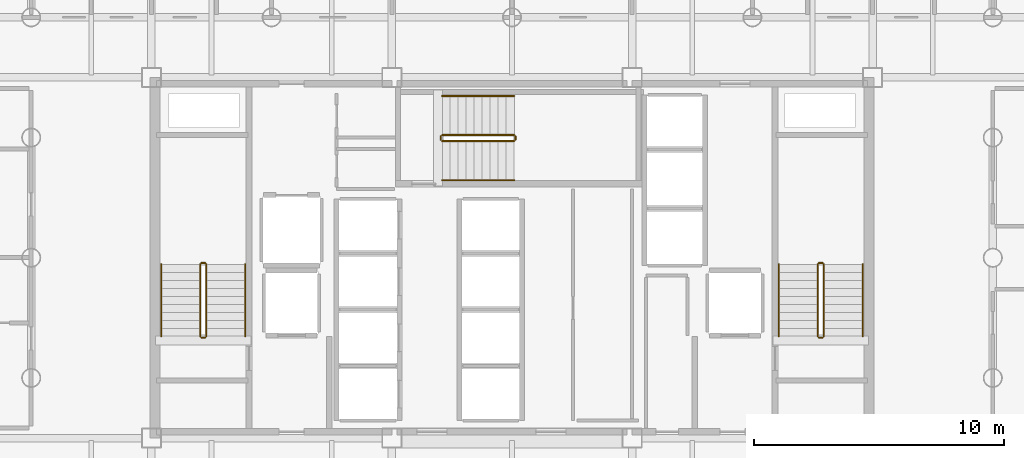
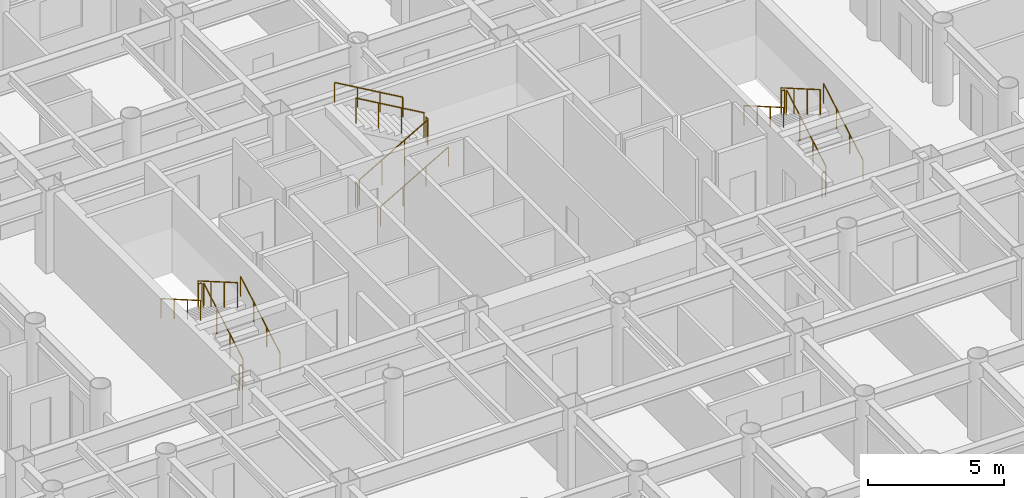
# One storey, part 20 of 20: 18 railings.
"""IFC4 building model written with IfcOpenShell, lengths in metres."""

from ifc_helpers import new_model, si_unit, direction, frame, origin, origin_2d, place, context, subcontext, project, spatial, circle, extrude, material, layer, layer_set, type_object, element, save


model = new_model("IFC4")

# Units and contexts
model_context = context("Model", 3, precision=1e-05, world=origin(), true_north=direction((0.0, 1.0)))
body_context = subcontext(model_context, "Body", "Model", "MODEL_VIEW")
ifc_project = project(units=[si_unit("LENGTHUNIT", "METRE"), si_unit("AREAUNIT", "SQUARE_METRE"), si_unit("VOLUMEUNIT", "CUBIC_METRE"), si_unit("PLANEANGLEUNIT", "RADIAN"), si_unit("MASSUNIT", "GRAM", prefix="KILO")], contexts=[model_context])

# Site, building, storey
site_placement = place(None, origin())
site = spatial("IfcSite", under=ifc_project, at=site_placement, CompositionType="ELEMENT")
building_placement = place(site_placement, origin())
building = spatial("IfcBuilding", under=site, at=building_placement, Name="Kallvorn Hotel Tower", CompositionType="ELEMENT")
storey_placement = place(building_placement, frame((0.0, 0.0, 74.39990234375)))
storey = spatial("IfcBuildingStorey", under=building, at=storey_placement, Name="L17", CompositionType="ELEMENT", Elevation=74.39990234375)

# Railings
ifc_material_1 = material(Name="Brushed stainless-steel tubular railing", Category="steel")
ifc_layer_1 = layer(ifc_material_1, 0.050048828125)
ifc_layer_set_1 = layer_set([ifc_layer_1], Name="RL_STAIR_GUARD")
railing_type_1 = type_object("IfcRailingType", Name="RL_STAIR_GUARD", PredefinedType="GUARDRAIL", material=ifc_layer_set_1)
railing_1_placement = place(storey_placement, frame((-12.2099609375, -3.139892578125, 0.18505859375)))
element("IfcRailing", 1, at=railing_1_placement, inside=storey, type_object=railing_type_1, Name="L17 ST1 stair guard 1", PredefinedType="GUARDRAIL", context=body_context, shape_type="SweptSolid", body=[
    extrude(circle(Radius=0.02392578125, at=origin_2d()), frame((0.0, 0.0, 1.1259765625), z_axis=(0.0, 0.865720918037, 0.500527014328), x_axis=(-1.0, 0.0, 0.0)), (0.0, 0.0, 1.0), 3.32666015625),
    extrude(circle(Radius=0.02099609375, at=origin_2d()), origin(), (0.0, 0.0, 1.0), 1.101806640625),
    extrude(circle(Radius=0.02099609375, at=origin_2d()), frame((0.0, 0.9599609375, 0.554931640625)), (0.0, 0.0, 1.0), 1.101806640625),
    extrude(circle(Radius=0.02099609375, at=origin_2d()), frame((0.0, 1.919921875, 1.110107421875)), (0.0, 0.0, 1.0), 1.101806640625),
    extrude(circle(Radius=0.02099609375, at=origin_2d()), frame((0.0, 2.8798828125, 1.6650390625)), (0.0, 0.0, 1.0), 1.101806640625),
])
railing_2_placement = place(storey_placement, frame((-12.260009765625, -0.2099609375, 1.85009765625)))
element("IfcRailing", 2, at=railing_2_placement, inside=storey, type_object=railing_type_1, Name="L17 ST1 stair guard 2", PredefinedType="GUARDRAIL", context=body_context, shape_type="SweptSolid", body=[
    extrude(circle(Radius=0.02392578125, at=origin_2d()), frame((0.0, 0.0, 1.1259765625), z_axis=(-1.0, 0.0, 0.0), x_axis=(0.0, -1.0, 0.0)), (0.0, 0.0, 1.0), 0.139892578125),
    extrude(circle(Radius=0.02099609375, at=origin_2d()), origin(), (0.0, 0.0, 1.0), 1.101806640625),
    extrude(circle(Radius=0.02099609375, at=origin_2d()), frame((-0.139892578125, 0.0, 0.0)), (0.0, 0.0, 1.0), 1.101806640625),
])
railing_3_placement = place(storey_placement, frame((-12.449951171875, -0.260009765625, 2.03515625)))
element("IfcRailing", 3, at=railing_3_placement, inside=storey, type_object=railing_type_1, Name="L17 ST1 stair guard 3", PredefinedType="GUARDRAIL", context=body_context, shape_type="SweptSolid", body=[
    extrude(circle(Radius=0.02392578125, at=origin_2d()), frame((0.0, 0.0, 1.1259765625), z_axis=(0.0, -0.865720918037, 0.500527014328), x_axis=(1.0, 0.0, 0.0)), (0.0, 0.0, 1.0), 3.32666015625),
    extrude(circle(Radius=0.02099609375, at=origin_2d()), origin(), (0.0, 0.0, 1.0), 1.101806640625),
    extrude(circle(Radius=0.02099609375, at=origin_2d()), frame((0.0, -0.9599609375, 0.554931640625)), (0.0, 0.0, 1.0), 1.101806640625),
    extrude(circle(Radius=0.02099609375, at=origin_2d()), frame((0.0, -1.919921875, 1.110107421875)), (0.0, 0.0, 1.0), 1.101806640625),
    extrude(circle(Radius=0.02099609375, at=origin_2d()), frame((0.0, -2.8798828125, 1.6650390625)), (0.0, 0.0, 1.0), 1.101806640625),
])
railing_4_placement = place(storey_placement, frame((-12.260009765625, -3.18994140625, 0.0)))
element("IfcRailing", 4, at=railing_4_placement, inside=storey, type_object=railing_type_1, Name="L17 ST1 stair guard 4", PredefinedType="GUARDRAIL", context=body_context, shape_type="SweptSolid", body=[
    extrude(circle(Radius=0.02392578125, at=origin_2d()), frame((0.0, 0.0, 1.1259765625), z_axis=(-1.0, 0.0, 0.0), x_axis=(0.0, -1.0, 0.0)), (0.0, 0.0, 1.0), 0.139892578125),
    extrude(circle(Radius=0.02099609375, at=origin_2d()), origin(), (0.0, 0.0, 1.0), 1.101806640625),
    extrude(circle(Radius=0.02099609375, at=origin_2d()), frame((-0.139892578125, 0.0, 0.0)), (0.0, 0.0, 1.0), 1.101806640625),
])
railing_5_placement = place(storey_placement, frame((12.449951171875, -3.139892578125, 0.18505859375)))
element("IfcRailing", 5, at=railing_5_placement, inside=storey, type_object=railing_type_1, Name="L17 ST2 stair guard 1", PredefinedType="GUARDRAIL", context=body_context, shape_type="SweptSolid", body=[
    extrude(circle(Radius=0.02392578125, at=origin_2d()), frame((0.0, 0.0, 1.1259765625), z_axis=(0.0, 0.865720918037, 0.500527014328), x_axis=(-1.0, 0.0, 0.0)), (0.0, 0.0, 1.0), 3.32666015625),
    extrude(circle(Radius=0.02099609375, at=origin_2d()), origin(), (0.0, 0.0, 1.0), 1.101806640625),
    extrude(circle(Radius=0.02099609375, at=origin_2d()), frame((0.0, 0.9599609375, 0.554931640625)), (0.0, 0.0, 1.0), 1.101806640625),
    extrude(circle(Radius=0.02099609375, at=origin_2d()), frame((0.0, 1.919921875, 1.110107421875)), (0.0, 0.0, 1.0), 1.101806640625),
    extrude(circle(Radius=0.02099609375, at=origin_2d()), frame((0.0, 2.8798828125, 1.6650390625)), (0.0, 0.0, 1.0), 1.101806640625),
])
railing_6_placement = place(storey_placement, frame((12.39990234375, -0.2099609375, 1.85009765625)))
element("IfcRailing", 6, at=railing_6_placement, inside=storey, type_object=railing_type_1, Name="L17 ST2 stair guard 2", PredefinedType="GUARDRAIL", context=body_context, shape_type="SweptSolid", body=[
    extrude(circle(Radius=0.02392578125, at=origin_2d()), frame((0.0, 0.0, 1.1259765625), z_axis=(-1.0, 0.0, 0.0), x_axis=(0.0, -1.0, 0.0)), (0.0, 0.0, 1.0), 0.139892578125),
    extrude(circle(Radius=0.02099609375, at=origin_2d()), origin(), (0.0, 0.0, 1.0), 1.101806640625),
    extrude(circle(Radius=0.02099609375, at=origin_2d()), frame((-0.139892578125, 0.0, 0.0)), (0.0, 0.0, 1.0), 1.101806640625),
])
railing_7_placement = place(storey_placement, frame((12.2099609375, -0.260009765625, 2.03515625)))
element("IfcRailing", 7, at=railing_7_placement, inside=storey, type_object=railing_type_1, Name="L17 ST2 stair guard 3", PredefinedType="GUARDRAIL", context=body_context, shape_type="SweptSolid", body=[
    extrude(circle(Radius=0.02392578125, at=origin_2d()), frame((0.0, 0.0, 1.1259765625), z_axis=(0.0, -0.865720918037, 0.500527014328), x_axis=(1.0, 0.0, 0.0)), (0.0, 0.0, 1.0), 3.32666015625),
    extrude(circle(Radius=0.02099609375, at=origin_2d()), origin(), (0.0, 0.0, 1.0), 1.101806640625),
    extrude(circle(Radius=0.02099609375, at=origin_2d()), frame((0.0, -0.9599609375, 0.554931640625)), (0.0, 0.0, 1.0), 1.101806640625),
    extrude(circle(Radius=0.02099609375, at=origin_2d()), frame((0.0, -1.919921875, 1.110107421875)), (0.0, 0.0, 1.0), 1.101806640625),
    extrude(circle(Radius=0.02099609375, at=origin_2d()), frame((0.0, -2.8798828125, 1.6650390625)), (0.0, 0.0, 1.0), 1.101806640625),
])
railing_8_placement = place(storey_placement, frame((12.39990234375, -3.18994140625, 0.0)))
element("IfcRailing", 8, at=railing_8_placement, inside=storey, type_object=railing_type_1, Name="L17 ST2 stair guard 4", PredefinedType="GUARDRAIL", context=body_context, shape_type="SweptSolid", body=[
    extrude(circle(Radius=0.02392578125, at=origin_2d()), frame((0.0, 0.0, 1.1259765625), z_axis=(-1.0, 0.0, 0.0), x_axis=(0.0, -1.0, 0.0)), (0.0, 0.0, 1.0), 0.139892578125),
    extrude(circle(Radius=0.02099609375, at=origin_2d()), origin(), (0.0, 0.0, 1.0), 1.101806640625),
    extrude(circle(Radius=0.02099609375, at=origin_2d()), frame((-0.139892578125, 0.0, 0.0)), (0.0, 0.0, 1.0), 1.101806640625),
])
railing_9_placement = place(storey_placement, frame((-2.7900390625, 4.659912109375, 0.18505859375)))
element("IfcRailing", 9, at=railing_9_placement, inside=storey, type_object=railing_type_1, Name="L17 ST3 stair guard 1", PredefinedType="GUARDRAIL", context=body_context, shape_type="SweptSolid", body=[
    extrude(circle(Radius=0.02392578125, at=origin_2d()), frame((0.0, 0.0, 1.1259765625), z_axis=(0.865739302748, 0.0, 0.50049521444), x_axis=(0.0, 1.0, 0.0)), (0.0, 0.0, 1.0), 3.326904296875),
    extrude(circle(Radius=0.02099609375, at=origin_2d()), origin(), (0.0, 0.0, 1.0), 1.101806640625),
    extrude(circle(Radius=0.02099609375, at=origin_2d()), frame((0.9599609375, 0.0, 0.554931640625)), (0.0, 0.0, 1.0), 1.101806640625),
    extrude(circle(Radius=0.02099609375, at=origin_2d()), frame((1.920166015625, 0.0, 1.110107421875)), (0.0, 0.0, 1.0), 1.101806640625),
    extrude(circle(Radius=0.02099609375, at=origin_2d()), frame((2.880126953125, 0.0, 1.6650390625)), (0.0, 0.0, 1.0), 1.101806640625),
])
railing_10_placement = place(storey_placement, frame((0.139892578125, 4.7099609375, 1.85009765625)))
element("IfcRailing", 10, at=railing_10_placement, inside=storey, type_object=railing_type_1, Name="L17 ST3 stair guard 2", PredefinedType="GUARDRAIL", context=body_context, shape_type="SweptSolid", body=[
    extrude(circle(Radius=0.02392578125, at=origin_2d()), frame((0.0, 0.0, 1.1259765625), z_axis=(0.0, 1.0, 0.0), x_axis=(-1.0, 0.0, 0.0)), (0.0, 0.0, 1.0), 0.14013671875),
    extrude(circle(Radius=0.02099609375, at=origin_2d()), origin(), (0.0, 0.0, 1.0), 1.101806640625),
    extrude(circle(Radius=0.02099609375, at=origin_2d()), frame((0.0, 0.14013671875, 0.0)), (0.0, 0.0, 1.0), 1.101806640625),
])
railing_11_placement = place(storey_placement, frame((0.090087890625, 4.89990234375, 2.03515625)))
element("IfcRailing", 11, at=railing_11_placement, inside=storey, type_object=railing_type_1, Name="L17 ST3 stair guard 3", PredefinedType="GUARDRAIL", context=body_context, shape_type="SweptSolid", body=[
    extrude(circle(Radius=0.02392578125, at=origin_2d()), frame((0.0, 0.0, 1.1259765625), z_axis=(-0.865739302748, 0.0, 0.50049521444), x_axis=(0.0, -1.0, 0.0)), (0.0, 0.0, 1.0), 3.326904296875),
    extrude(circle(Radius=0.02099609375, at=origin_2d()), origin(), (0.0, 0.0, 1.0), 1.101806640625),
    extrude(circle(Radius=0.02099609375, at=origin_2d()), frame((-0.9599609375, 0.0, 0.554931640625)), (0.0, 0.0, 1.0), 1.101806640625),
    extrude(circle(Radius=0.02099609375, at=origin_2d()), frame((-1.920166015625, 0.0, 1.110107421875)), (0.0, 0.0, 1.0), 1.101806640625),
    extrude(circle(Radius=0.02099609375, at=origin_2d()), frame((-2.880126953125, 0.0, 1.6650390625)), (0.0, 0.0, 1.0), 1.101806640625),
])
railing_12_placement = place(storey_placement, frame((-2.840087890625, 4.7099609375, 0.0)))
element("IfcRailing", 12, at=railing_12_placement, inside=storey, type_object=railing_type_1, Name="L17 ST3 stair guard 4", PredefinedType="GUARDRAIL", context=body_context, shape_type="SweptSolid", body=[
    extrude(circle(Radius=0.02392578125, at=origin_2d()), frame((0.0, 0.0, 1.1259765625), z_axis=(0.0, 1.0, 0.0), x_axis=(-1.0, 0.0, 0.0)), (0.0, 0.0, 1.0), 0.14013671875),
    extrude(circle(Radius=0.02099609375, at=origin_2d()), origin(), (0.0, 0.0, 1.0), 1.101806640625),
    extrude(circle(Radius=0.02099609375, at=origin_2d()), frame((0.0, 0.14013671875, 0.0)), (0.0, 0.0, 1.0), 1.101806640625),
])
ifc_material_2 = material(Name="Brushed stainless-steel tubular railing", Category="steel")
ifc_layer_2 = layer(ifc_material_2, 0.050048828125)
ifc_layer_set_2 = layer_set([ifc_layer_2], Name="RL_STAIR_HAND")
railing_type_2 = type_object("IfcRailingType", Name="RL_STAIR_HAND", PredefinedType="HANDRAIL", material=ifc_layer_set_2)
railing_13_placement = place(storey_placement, frame((-10.64990234375, -3.139892578125, 0.18505859375)))
element("IfcRailing", 13, at=railing_13_placement, inside=storey, type_object=railing_type_2, Name="L17 ST1 stair handrail 1", PredefinedType="HANDRAIL", context=body_context, shape_type="SweptSolid", body=[
    extrude(circle(Radius=0.02392578125, at=origin_2d()), frame((0.0, 0.0, 0.8759765625), z_axis=(0.0, 0.865720918037, 0.500527014328), x_axis=(-1.0, 0.0, 0.0)), (0.0, 0.0, 1.0), 3.32666015625),
    extrude(circle(Radius=0.02099609375, at=origin_2d()), origin(), (0.0, 0.0, 1.0), 0.851806640625),
    extrude(circle(Radius=0.02099609375, at=origin_2d()), frame((0.0, 0.9599609375, 0.554931640625)), (0.0, 0.0, 1.0), 0.851806640625),
    extrude(circle(Radius=0.02099609375, at=origin_2d()), frame((0.0, 1.919921875, 1.110107421875)), (0.0, 0.0, 1.0), 0.851806640625),
    extrude(circle(Radius=0.02099609375, at=origin_2d()), frame((0.0, 2.8798828125, 1.6650390625)), (0.0, 0.0, 1.0), 0.851806640625),
])
railing_14_placement = place(storey_placement, frame((-14.010009765625, -0.260009765625, 2.03515625)))
element("IfcRailing", 14, at=railing_14_placement, inside=storey, type_object=railing_type_2, Name="L17 ST1 stair handrail 2", PredefinedType="HANDRAIL", context=body_context, shape_type="SweptSolid", body=[
    extrude(circle(Radius=0.02392578125, at=origin_2d()), frame((0.0, 0.0, 0.8759765625), z_axis=(0.0, -0.865720918037, 0.500527014328), x_axis=(1.0, 0.0, 0.0)), (0.0, 0.0, 1.0), 3.32666015625),
    extrude(circle(Radius=0.02099609375, at=origin_2d()), origin(), (0.0, 0.0, 1.0), 0.851806640625),
    extrude(circle(Radius=0.02099609375, at=origin_2d()), frame((0.0, -0.9599609375, 0.554931640625)), (0.0, 0.0, 1.0), 0.851806640625),
    extrude(circle(Radius=0.02099609375, at=origin_2d()), frame((0.0, -1.919921875, 1.110107421875)), (0.0, 0.0, 1.0), 0.851806640625),
    extrude(circle(Radius=0.02099609375, at=origin_2d()), frame((0.0, -2.8798828125, 1.6650390625)), (0.0, 0.0, 1.0), 0.851806640625),
])
railing_15_placement = place(storey_placement, frame((14.010009765625, -3.139892578125, 0.18505859375)))
element("IfcRailing", 15, at=railing_15_placement, inside=storey, type_object=railing_type_2, Name="L17 ST2 stair handrail 1", PredefinedType="HANDRAIL", context=body_context, shape_type="SweptSolid", body=[
    extrude(circle(Radius=0.02392578125, at=origin_2d()), frame((0.0, 0.0, 0.8759765625), z_axis=(0.0, 0.865720918037, 0.500527014328), x_axis=(-1.0, 0.0, 0.0)), (0.0, 0.0, 1.0), 3.32666015625),
    extrude(circle(Radius=0.02099609375, at=origin_2d()), origin(), (0.0, 0.0, 1.0), 0.851806640625),
    extrude(circle(Radius=0.02099609375, at=origin_2d()), frame((0.0, 0.9599609375, 0.554931640625)), (0.0, 0.0, 1.0), 0.851806640625),
    extrude(circle(Radius=0.02099609375, at=origin_2d()), frame((0.0, 1.919921875, 1.110107421875)), (0.0, 0.0, 1.0), 0.851806640625),
    extrude(circle(Radius=0.02099609375, at=origin_2d()), frame((0.0, 2.8798828125, 1.6650390625)), (0.0, 0.0, 1.0), 0.851806640625),
])
railing_16_placement = place(storey_placement, frame((10.64990234375, -0.260009765625, 2.03515625)))
element("IfcRailing", 16, at=railing_16_placement, inside=storey, type_object=railing_type_2, Name="L17 ST2 stair handrail 2", PredefinedType="HANDRAIL", context=body_context, shape_type="SweptSolid", body=[
    extrude(circle(Radius=0.02392578125, at=origin_2d()), frame((0.0, 0.0, 0.8759765625), z_axis=(0.0, -0.865720918037, 0.500527014328), x_axis=(1.0, 0.0, 0.0)), (0.0, 0.0, 1.0), 3.32666015625),
    extrude(circle(Radius=0.02099609375, at=origin_2d()), origin(), (0.0, 0.0, 1.0), 0.851806640625),
    extrude(circle(Radius=0.02099609375, at=origin_2d()), frame((0.0, -0.9599609375, 0.554931640625)), (0.0, 0.0, 1.0), 0.851806640625),
    extrude(circle(Radius=0.02099609375, at=origin_2d()), frame((0.0, -1.919921875, 1.110107421875)), (0.0, 0.0, 1.0), 0.851806640625),
    extrude(circle(Radius=0.02099609375, at=origin_2d()), frame((0.0, -2.8798828125, 1.6650390625)), (0.0, 0.0, 1.0), 0.851806640625),
])
railing_17_placement = place(storey_placement, frame((-2.7900390625, 3.10009765625, 0.18505859375)))
element("IfcRailing", 17, at=railing_17_placement, inside=storey, type_object=railing_type_2, Name="L17 ST3 stair handrail 1", PredefinedType="HANDRAIL", context=body_context, shape_type="SweptSolid", body=[
    extrude(circle(Radius=0.02392578125, at=origin_2d()), frame((0.0, 0.0, 0.8759765625), z_axis=(0.865739302748, 0.0, 0.50049521444), x_axis=(0.0, 1.0, 0.0)), (0.0, 0.0, 1.0), 3.326904296875),
    extrude(circle(Radius=0.02099609375, at=origin_2d()), origin(), (0.0, 0.0, 1.0), 0.851806640625),
    extrude(circle(Radius=0.02099609375, at=origin_2d()), frame((0.9599609375, 0.0, 0.554931640625)), (0.0, 0.0, 1.0), 0.851806640625),
    extrude(circle(Radius=0.02099609375, at=origin_2d()), frame((1.920166015625, 0.0, 1.110107421875)), (0.0, 0.0, 1.0), 0.851806640625),
    extrude(circle(Radius=0.02099609375, at=origin_2d()), frame((2.880126953125, 0.0, 1.6650390625)), (0.0, 0.0, 1.0), 0.851806640625),
])
railing_18_placement = place(storey_placement, frame((0.090087890625, 6.4599609375, 2.03515625)))
element("IfcRailing", 18, at=railing_18_placement, inside=storey, type_object=railing_type_2, Name="L17 ST3 stair handrail 2", PredefinedType="HANDRAIL", context=body_context, shape_type="SweptSolid", body=[
    extrude(circle(Radius=0.02392578125, at=origin_2d()), frame((0.0, 0.0, 0.8759765625), z_axis=(-0.865739302748, 0.0, 0.50049521444), x_axis=(0.0, -1.0, 0.0)), (0.0, 0.0, 1.0), 3.326904296875),
    extrude(circle(Radius=0.02099609375, at=origin_2d()), origin(), (0.0, 0.0, 1.0), 0.851806640625),
    extrude(circle(Radius=0.02099609375, at=origin_2d()), frame((-0.9599609375, 0.0, 0.554931640625)), (0.0, 0.0, 1.0), 0.851806640625),
    extrude(circle(Radius=0.02099609375, at=origin_2d()), frame((-1.920166015625, 0.0, 1.110107421875)), (0.0, 0.0, 1.0), 0.851806640625),
    extrude(circle(Radius=0.02099609375, at=origin_2d()), frame((-2.880126953125, 0.0, 1.6650390625)), (0.0, 0.0, 1.0), 0.851806640625),
])

save(model, "model.ifc")
